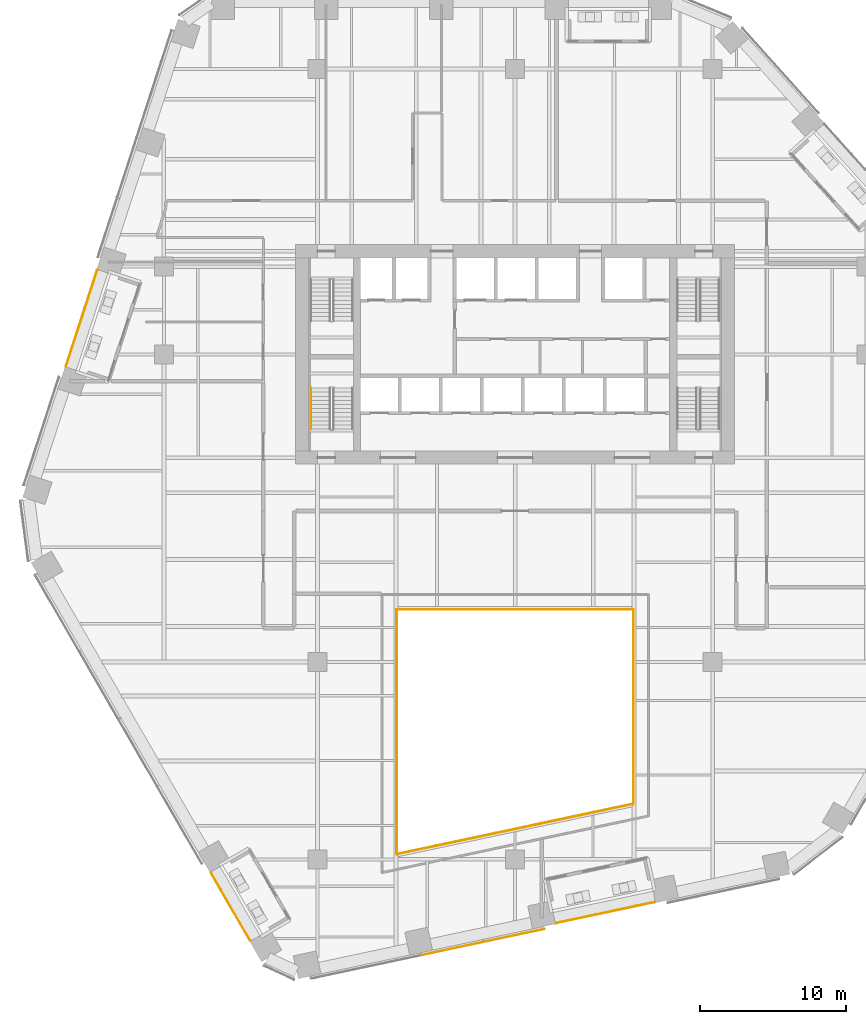
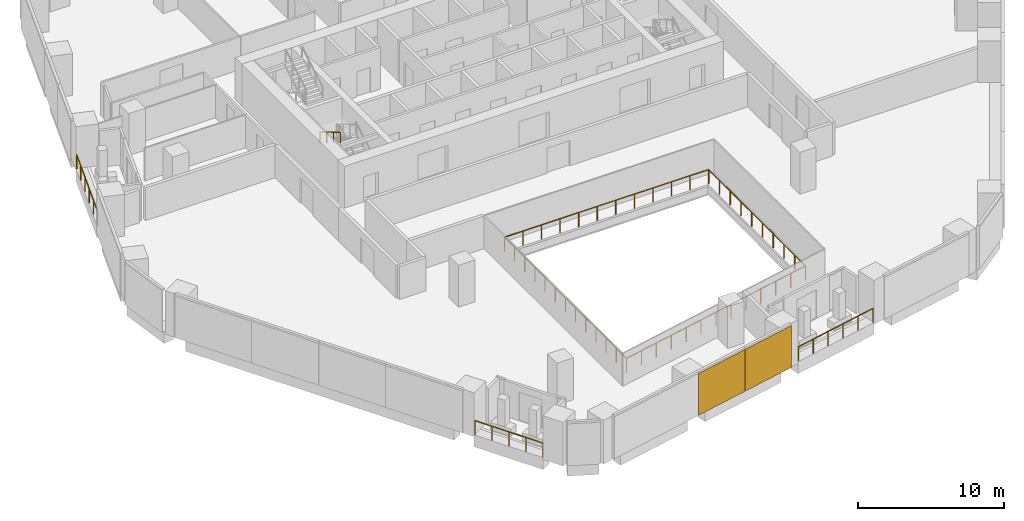
# One storey, part 24 of 28: 8 railings, 2 coverings, 1 element without a shape of its own.
"""IFC4 building model written with IfcOpenShell, lengths in metres."""

from ifc_helpers import new_model, si_unit, direction, frame, origin, origin_2d, place, context, subcontext, project, spatial, rectangle, circle, extrude, material, layer, layer_set, type_object, element, aggregate, save


model = new_model("IFC4")

# Units and contexts
model_context = context("Model", 3, precision=1e-05, world=origin(), true_north=direction((0.0, 1.0)))
body_context = subcontext(model_context, "Body", "Model", "MODEL_VIEW")
ifc_project = project(units=[si_unit("LENGTHUNIT", "METRE"), si_unit("AREAUNIT", "SQUARE_METRE"), si_unit("VOLUMEUNIT", "CUBIC_METRE"), si_unit("PLANEANGLEUNIT", "RADIAN"), si_unit("MASSUNIT", "GRAM", prefix="KILO")], contexts=[model_context])

# Site, building, storey
site_placement = place(None, origin())
site = spatial("IfcSite", under=ifc_project, at=site_placement, CompositionType="ELEMENT")
building_placement = place(site_placement, origin())
building = spatial("IfcBuilding", under=site, at=building_placement, Name="Isthmus Gate Tower", CompositionType="ELEMENT")
storey_placement = place(building_placement, frame((0.0, 0.0, 98.89990234375)))
storey = spatial("IfcBuildingStorey", under=building, at=storey_placement, Name="L23", CompositionType="ELEMENT", Elevation=98.89990234375)

# Railings
ifc_material_1 = material(Name="Laminated toughened glass balustrade with steel rail", Category="steel")
railing_type_1 = type_object("IfcRailingType", Name="ATRIUM GUARD GLASS BALUSTRADE 1200", PredefinedType="GUARDRAIL", material=ifc_material_1)
railing_1_placement = place(storey_placement, frame((-8.080078125, -26.642822265625, 0.0)))
element("IfcRailing", 1, at=railing_1_placement, inside=storey, type_object=railing_type_1, Name="L23 atrium guard", PredefinedType="GUARDRAIL", context=body_context, shape_type="SweptSolid", body=[
    extrude(circle(Radius=0.02490234375, at=origin_2d()), frame((0.0, 0.0, 1.1748046875), z_axis=(0.0, 1.0, 0.0), x_axis=(-1.0, 0.0, 0.0)), (0.0, 0.0, 1.0), 16.722900390625),
    extrude(circle(Radius=0.02490234375, at=origin_2d()), origin(), (0.0, 0.0, 1.0), 1.14990234375),
    extrude(circle(Radius=0.02490234375, at=origin_2d()), frame((0.0, 1.3935546875, 0.0)), (0.0, 0.0, 1.0), 1.14990234375),
    extrude(circle(Radius=0.02490234375, at=origin_2d()), frame((0.0, 2.787109375, 0.0)), (0.0, 0.0, 1.0), 1.14990234375),
    extrude(circle(Radius=0.02490234375, at=origin_2d()), frame((0.0, 4.1806640625, 0.0)), (0.0, 0.0, 1.0), 1.14990234375),
    extrude(circle(Radius=0.02490234375, at=origin_2d()), frame((0.0, 5.57421875, 0.0)), (0.0, 0.0, 1.0), 1.14990234375),
    extrude(circle(Radius=0.02490234375, at=origin_2d()), frame((0.0, 6.9677734375, 0.0)), (0.0, 0.0, 1.0), 1.14990234375),
    extrude(circle(Radius=0.02490234375, at=origin_2d()), frame((0.0, 8.361328125, 0.0)), (0.0, 0.0, 1.0), 1.14990234375),
    extrude(circle(Radius=0.02490234375, at=origin_2d()), frame((0.0, 9.755126953125, 0.0)), (0.0, 0.0, 1.0), 1.14990234375),
    extrude(circle(Radius=0.02490234375, at=origin_2d()), frame((0.0, 11.148681640625, 0.0)), (0.0, 0.0, 1.0), 1.14990234375),
    extrude(circle(Radius=0.02490234375, at=origin_2d()), frame((0.0, 12.542236328125, 0.0)), (0.0, 0.0, 1.0), 1.14990234375),
    extrude(circle(Radius=0.02490234375, at=origin_2d()), frame((0.0, 13.935791015625, 0.0)), (0.0, 0.0, 1.0), 1.14990234375),
    extrude(circle(Radius=0.02490234375, at=origin_2d()), frame((0.0, 15.329345703125, 0.0)), (0.0, 0.0, 1.0), 1.14990234375),
    extrude(circle(Radius=0.02490234375, at=origin_2d()), frame((0.0, 16.722900390625, 0.0)), (0.0, 0.0, 1.0), 1.14990234375),
])
railing_2_placement = place(storey_placement, frame((-8.080078125, -9.919921875, 0.0)))
element("IfcRailing", 2, at=railing_2_placement, inside=storey, type_object=railing_type_1, Name="L23 atrium guard", PredefinedType="GUARDRAIL", context=body_context, shape_type="SweptSolid", body=[
    extrude(circle(Radius=0.02490234375, at=origin_2d()), frame((0.0, 0.0, 1.1748046875), z_axis=(1.0, 0.0, 0.0), x_axis=(0.0, 1.0, 0.0)), (0.0, 0.0, 1.0), 16.16015625),
    extrude(circle(Radius=0.02490234375, at=origin_2d()), origin(), (0.0, 0.0, 1.0), 1.14990234375),
    extrude(circle(Radius=0.02490234375, at=origin_2d()), frame((1.468994140625, 0.0, 0.0)), (0.0, 0.0, 1.0), 1.14990234375),
    extrude(circle(Radius=0.02490234375, at=origin_2d()), frame((2.938232421875, 0.0, 0.0)), (0.0, 0.0, 1.0), 1.14990234375),
    extrude(circle(Radius=0.02490234375, at=origin_2d()), frame((4.4072265625, 0.0, 0.0)), (0.0, 0.0, 1.0), 1.14990234375),
    extrude(circle(Radius=0.02490234375, at=origin_2d()), frame((5.87646484375, 0.0, 0.0)), (0.0, 0.0, 1.0), 1.14990234375),
    extrude(circle(Radius=0.02490234375, at=origin_2d()), frame((7.345458984375, 0.0, 0.0)), (0.0, 0.0, 1.0), 1.14990234375),
    extrude(circle(Radius=0.02490234375, at=origin_2d()), frame((8.814697265625, 0.0, 0.0)), (0.0, 0.0, 1.0), 1.14990234375),
    extrude(circle(Radius=0.02490234375, at=origin_2d()), frame((10.28369140625, 0.0, 0.0)), (0.0, 0.0, 1.0), 1.14990234375),
    extrude(circle(Radius=0.02490234375, at=origin_2d()), frame((11.7529296875, 0.0, 0.0)), (0.0, 0.0, 1.0), 1.14990234375),
    extrude(circle(Radius=0.02490234375, at=origin_2d()), frame((13.221923828125, 0.0, 0.0)), (0.0, 0.0, 1.0), 1.14990234375),
    extrude(circle(Radius=0.02490234375, at=origin_2d()), frame((14.691162109375, 0.0, 0.0)), (0.0, 0.0, 1.0), 1.14990234375),
    extrude(circle(Radius=0.02490234375, at=origin_2d()), frame((16.16015625, 0.0, 0.0)), (0.0, 0.0, 1.0), 1.14990234375),
])
railing_3_placement = place(storey_placement, frame((8.080078125, -9.919921875, 0.0)))
element("IfcRailing", 3, at=railing_3_placement, inside=storey, type_object=railing_type_1, Name="L23 atrium guard", PredefinedType="GUARDRAIL", context=body_context, shape_type="SweptSolid", body=[
    extrude(circle(Radius=0.02490234375, at=origin_2d()), frame((0.0, 0.0, 1.1748046875), z_axis=(0.0, -1.0, 0.0), x_axis=(1.0, 0.0, 0.0)), (0.0, 0.0, 1.0), 13.2880859375),
    extrude(circle(Radius=0.02490234375, at=origin_2d()), origin(), (0.0, 0.0, 1.0), 1.14990234375),
    extrude(circle(Radius=0.02490234375, at=origin_2d()), frame((0.0, -1.4765625, 0.0)), (0.0, 0.0, 1.0), 1.14990234375),
    extrude(circle(Radius=0.02490234375, at=origin_2d()), frame((0.0, -2.952880859375, 0.0)), (0.0, 0.0, 1.0), 1.14990234375),
    extrude(circle(Radius=0.02490234375, at=origin_2d()), frame((0.0, -4.429443359375, 0.0)), (0.0, 0.0, 1.0), 1.14990234375),
    extrude(circle(Radius=0.02490234375, at=origin_2d()), frame((0.0, -5.90576171875, 0.0)), (0.0, 0.0, 1.0), 1.14990234375),
    extrude(circle(Radius=0.02490234375, at=origin_2d()), frame((0.0, -7.38232421875, 0.0)), (0.0, 0.0, 1.0), 1.14990234375),
    extrude(circle(Radius=0.02490234375, at=origin_2d()), frame((0.0, -8.858642578125, 0.0)), (0.0, 0.0, 1.0), 1.14990234375),
    extrude(circle(Radius=0.02490234375, at=origin_2d()), frame((0.0, -10.335205078125, 0.0)), (0.0, 0.0, 1.0), 1.14990234375),
    extrude(circle(Radius=0.02490234375, at=origin_2d()), frame((0.0, -11.8115234375, 0.0)), (0.0, 0.0, 1.0), 1.14990234375),
    extrude(circle(Radius=0.02490234375, at=origin_2d()), frame((0.0, -13.2880859375, 0.0)), (0.0, 0.0, 1.0), 1.14990234375),
])
railing_4_placement = place(storey_placement, frame((8.080078125, -23.2080078125, 0.0)))
element("IfcRailing", 4, at=railing_4_placement, inside=storey, type_object=railing_type_1, Name="L23 atrium guard", PredefinedType="GUARDRAIL", context=body_context, shape_type="SweptSolid", body=[
    extrude(circle(Radius=0.02490234375, at=origin_2d()), frame((0.0, 0.0, 1.1748046875), z_axis=(-0.978149235358, -0.207904000366, 0.0), x_axis=(0.207904000366, -0.978149235358, 0.0)), (0.0, 0.0, 1.0), 16.521240234375),
    extrude(circle(Radius=0.02490234375, at=origin_2d()), origin(), (0.0, 0.0, 1.0), 1.14990234375),
    extrude(circle(Radius=0.02490234375, at=origin_2d()), frame((-1.3466796875, -0.2861328125, 0.0)), (0.0, 0.0, 1.0), 1.14990234375),
    extrude(circle(Radius=0.02490234375, at=origin_2d()), frame((-2.693359375, -0.572509765625, 0.0)), (0.0, 0.0, 1.0), 1.14990234375),
    extrude(circle(Radius=0.02490234375, at=origin_2d()), frame((-4.0400390625, -0.858642578125, 0.0)), (0.0, 0.0, 1.0), 1.14990234375),
    extrude(circle(Radius=0.02490234375, at=origin_2d()), frame((-5.38671875, -1.14501953125, 0.0)), (0.0, 0.0, 1.0), 1.14990234375),
    extrude(circle(Radius=0.02490234375, at=origin_2d()), frame((-6.7333984375, -1.43115234375, 0.0)), (0.0, 0.0, 1.0), 1.14990234375),
    extrude(circle(Radius=0.02490234375, at=origin_2d()), frame((-8.080078125, -1.71728515625, 0.0)), (0.0, 0.0, 1.0), 1.14990234375),
    extrude(circle(Radius=0.02490234375, at=origin_2d()), frame((-9.4267578125, -2.003662109375, 0.0)), (0.0, 0.0, 1.0), 1.14990234375),
    extrude(circle(Radius=0.02490234375, at=origin_2d()), frame((-10.7734375, -2.289794921875, 0.0)), (0.0, 0.0, 1.0), 1.14990234375),
    extrude(circle(Radius=0.02490234375, at=origin_2d()), frame((-12.1201171875, -2.576171875, 0.0)), (0.0, 0.0, 1.0), 1.14990234375),
    extrude(circle(Radius=0.02490234375, at=origin_2d()), frame((-13.466796875, -2.8623046875, 0.0)), (0.0, 0.0, 1.0), 1.14990234375),
    extrude(circle(Radius=0.02490234375, at=origin_2d()), frame((-14.8134765625, -3.148681640625, 0.0)), (0.0, 0.0, 1.0), 1.14990234375),
    extrude(circle(Radius=0.02490234375, at=origin_2d()), frame((-16.16015625, -3.434814453125, 0.0)), (0.0, 0.0, 1.0), 1.14990234375),
])

# Curtain wall, coverings
ifc_material_2 = material(Name="Aluminium, pale champagne anodised", Category="aluminium")
ifc_layer_1 = layer(ifc_material_2, 0.199951171875)
ifc_layer_set_1 = layer_set([ifc_layer_1], Name="CW-1 UNITISED CURTAIN WALL 200 DEEP")
curtain_wall_type = type_object("IfcCurtainWallType", Name="CW-1 UNITISED CURTAIN WALL 200 DEEP", PredefinedType="NOTDEFINED", material=ifc_layer_set_1)
curtain_wall_placement = place(storey_placement, origin())
curtain_wall = element("IfcCurtainWall", 5, at=curtain_wall_placement, inside=storey, type_object=curtain_wall_type, Name="CW-1 S L23", PredefinedType="NOTDEFINED")
ifc_material_3 = material(Name="Aluminium composite panel, pale champagne anodised", Category="aluminium")
ifc_layer_2 = layer(ifc_material_3, 0.0400390625)
ifc_layer_set_2 = layer_set([ifc_layer_2], Name="CW-1 PALE METAL PANEL 40")
covering_type = type_object("IfcCoveringType", Name="CW-1 PALE METAL PANEL 40", PredefinedType="CLADDING", material=ifc_layer_set_2)
covering_1_placement = place(storey_placement, frame((-4.2861328125, -33.094970703125, 0.0), z_axis=(0.0, 0.0, 1.0), x_axis=(0.978147600734, 0.207911690818, 0.0)))
covering_1 = element("IfcCovering", 6, at=covering_1_placement, type_object=covering_type, Name="CW-1 pale metal panel", PredefinedType="CLADDING", context=body_context, shape_type="SweptSolid", body=[
    extrude(rectangle(XDim=4.294677734375, YDim=0.0400390625, at=origin_2d()), origin(), (0.0, 0.0, 1.0), 3.5),
])
covering_2_placement = place(storey_placement, frame((-0.055908203125, -32.19580078125, 0.0), z_axis=(0.0, 0.0, 1.0), x_axis=(0.978147600734, 0.207911690818, 0.0)))
covering_2 = element("IfcCovering", 7, at=covering_2_placement, type_object=covering_type, Name="CW-1 pale metal panel", PredefinedType="CLADDING", context=body_context, shape_type="SweptSolid", body=[
    extrude(rectangle(XDim=4.234619140625, YDim=0.0400390625, at=origin_2d()), origin(), (0.0, 0.0, 1.0), 3.5),
])
aggregate(curtain_wall, [covering_1, covering_2])

# Railings
ifc_material_4 = material(Name="Toughened laminated glass with stainless steel posts", Category="steel")
railing_type_2 = type_object("IfcRailingType", Name="GUARD 1200 FRAMELESS GLASS", PredefinedType="GUARDRAIL", material=ifc_material_4)
railing_5_placement = place(storey_placement, frame((-28.549560546875, 13.2626953125, 0.0)))
element("IfcRailing", 8, at=railing_5_placement, inside=storey, type_object=railing_type_2, Name="LOGGIA GUARD", PredefinedType="GUARDRAIL", context=body_context, shape_type="SweptSolid", body=[
    extrude(circle(Radius=0.02490234375, at=origin_2d()), frame((0.0, 0.0, 1.1748046875), z_axis=(-0.309042127656, -0.95104834963, 0.0), x_axis=(0.95104834963, -0.309042127656, 0.0)), (0.0, 0.0, 1.0), 6.9091796875),
    extrude(circle(Radius=0.02490234375, at=origin_2d()), origin(), (0.0, 0.0, 1.0), 1.14990234375),
    extrude(circle(Radius=0.02490234375, at=origin_2d()), frame((-0.427001953125, -1.314208984375, 0.0)), (0.0, 0.0, 1.0), 1.14990234375),
    extrude(circle(Radius=0.02490234375, at=origin_2d()), frame((-0.85400390625, -2.62841796875, 0.0)), (0.0, 0.0, 1.0), 1.14990234375),
    extrude(circle(Radius=0.02490234375, at=origin_2d()), frame((-1.28125, -3.942626953125, 0.0)), (0.0, 0.0, 1.0), 1.14990234375),
    extrude(circle(Radius=0.02490234375, at=origin_2d()), frame((-1.708251953125, -5.2568359375, 0.0)), (0.0, 0.0, 1.0), 1.14990234375),
    extrude(circle(Radius=0.02490234375, at=origin_2d()), frame((-2.13525390625, -6.571044921875, 0.0)), (0.0, 0.0, 1.0), 1.14990234375),
])
railing_6_placement = place(storey_placement, frame((-20.783203125, -27.90234375, 0.0)))
element("IfcRailing", 9, at=railing_6_placement, inside=storey, type_object=railing_type_2, Name="LOGGIA GUARD", PredefinedType="GUARDRAIL", context=body_context, shape_type="SweptSolid", body=[
    extrude(circle(Radius=0.02490234375, at=origin_2d()), frame((0.0, 0.0, 1.1748046875), z_axis=(0.500011394563, -0.86601882503, 0.0), x_axis=(0.86601882503, 0.500011394563, 0.0)), (0.0, 0.0, 1.0), 5.363525390625),
    extrude(circle(Radius=0.02490234375, at=origin_2d()), origin(), (0.0, 0.0, 1.0), 1.14990234375),
    extrude(circle(Radius=0.02490234375, at=origin_2d()), frame((0.67041015625, -1.1611328125, 0.0)), (0.0, 0.0, 1.0), 1.14990234375),
    extrude(circle(Radius=0.02490234375, at=origin_2d()), frame((1.3408203125, -2.322509765625, 0.0)), (0.0, 0.0, 1.0), 1.14990234375),
    extrude(circle(Radius=0.02490234375, at=origin_2d()), frame((2.011474609375, -3.48388671875, 0.0)), (0.0, 0.0, 1.0), 1.14990234375),
    extrude(circle(Radius=0.02490234375, at=origin_2d()), frame((2.681884765625, -4.64501953125, 0.0)), (0.0, 0.0, 1.0), 1.14990234375),
])
railing_7_placement = place(storey_placement, frame((2.7890625, -31.35595703125, 0.0)))
element("IfcRailing", 10, at=railing_7_placement, inside=storey, type_object=railing_type_2, Name="LOGGIA GUARD", PredefinedType="GUARDRAIL", context=body_context, shape_type="SweptSolid", body=[
    extrude(circle(Radius=0.02490234375, at=origin_2d()), frame((0.0, 0.0, 1.1748046875), z_axis=(0.978147534192, 0.207912003872, 0.0), x_axis=(-0.207912003872, 0.978147534192, 0.0)), (0.0, 0.0, 1.0), 6.9091796875),
    extrude(circle(Radius=0.02490234375, at=origin_2d()), origin(), (0.0, 0.0, 1.0), 1.14990234375),
    extrude(circle(Radius=0.02490234375, at=origin_2d()), frame((1.3515625, 0.287353515625, 0.0)), (0.0, 0.0, 1.0), 1.14990234375),
    extrude(circle(Radius=0.02490234375, at=origin_2d()), frame((2.703369140625, 0.57470703125, 0.0)), (0.0, 0.0, 1.0), 1.14990234375),
    extrude(circle(Radius=0.02490234375, at=origin_2d()), frame((4.054931640625, 0.86181640625, 0.0)), (0.0, 0.0, 1.0), 1.14990234375),
    extrude(circle(Radius=0.02490234375, at=origin_2d()), frame((5.40673828125, 1.149169921875, 0.0)), (0.0, 0.0, 1.0), 1.14990234375),
    extrude(circle(Radius=0.02490234375, at=origin_2d()), frame((6.75830078125, 1.4365234375, 0.0)), (0.0, 0.0, 1.0), 1.14990234375),
])
ifc_material_5 = material(Name="Stainless steel handrail", Category="steel")
railing_type_3 = type_object("IfcRailingType", Name="STAIR HANDRAIL 900", PredefinedType="HANDRAIL", material=ifc_material_5)
railing_8_placement = place(storey_placement, frame((-13.949951171875, 5.199951171875, 1.990966796875)))
element("IfcRailing", 11, at=railing_8_placement, inside=storey, type_object=railing_type_3, Name="L23 ST7 stair handrail 2", PredefinedType="HANDRAIL", context=body_context, shape_type="SweptSolid", body=[
    extrude(circle(Radius=0.02392578125, at=origin_2d()), frame((0.0, 0.0, 0.8759765625), z_axis=(0.0, -0.860306154799, 0.50977771628), x_axis=(1.0, 0.0, 0.0)), (0.0, 0.0, 1.0), 3.254638671875),
    extrude(circle(Radius=0.02099609375, at=origin_2d()), origin(), (0.0, 0.0, 1.0), 0.851806640625),
    extrude(circle(Radius=0.02099609375, at=origin_2d()), frame((0.0, -0.933349609375, 0.552978515625)), (0.0, 0.0, 1.0), 0.851806640625),
    extrude(circle(Radius=0.02099609375, at=origin_2d()), frame((0.0, -1.86669921875, 1.106201171875)), (0.0, 0.0, 1.0), 0.851806640625),
    extrude(circle(Radius=0.02099609375, at=origin_2d()), frame((0.0, -2.800048828125, 1.6591796875)), (0.0, 0.0, 1.0), 0.851806640625),
])

save(model, "model.ifc")
